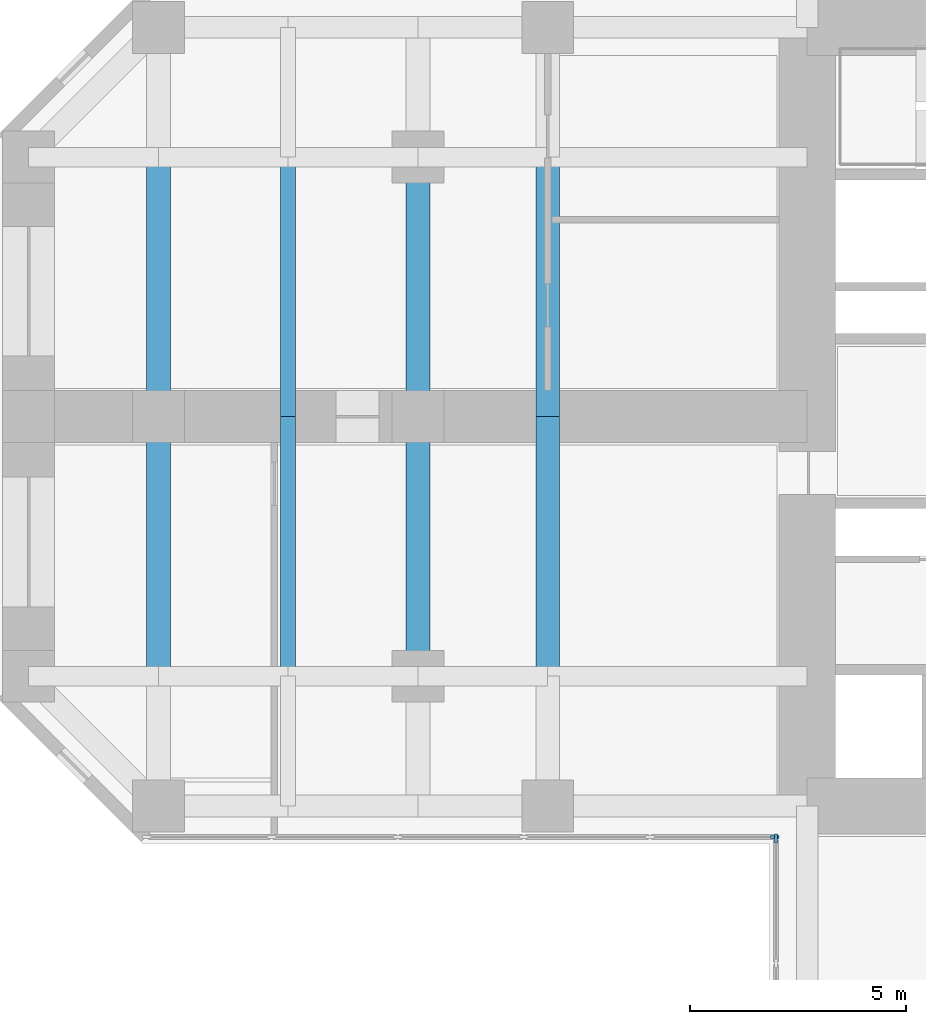
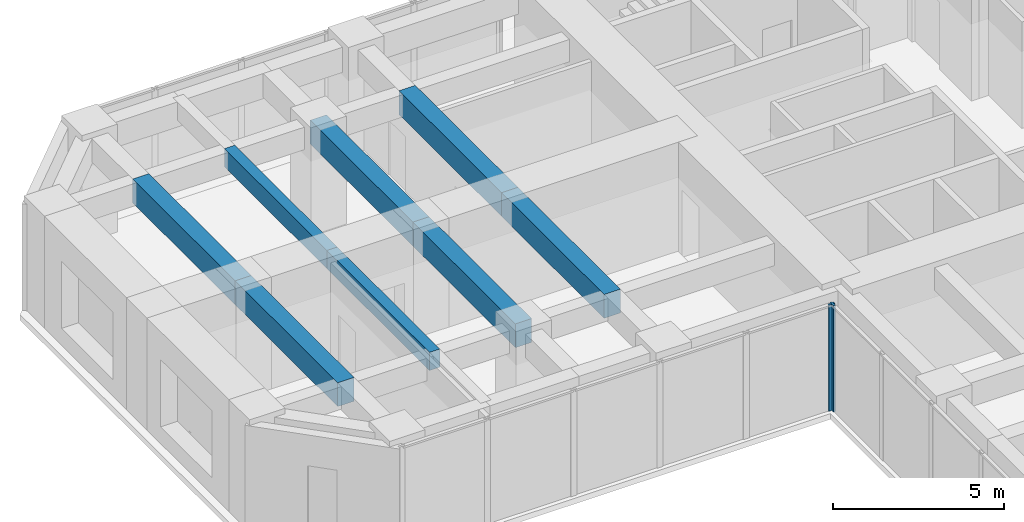
# One storey, part 3 of 12: 8 beams, 2 members, 2 elements without a shape of their own.
"""IFC4 building model written with IfcOpenShell, lengths in metres."""

import ifcopenshell
import ifcopenshell.guid

model = None  # the IFC model being written
_history = None  # IfcOwnerHistory: only IFC2X3 demands one
_inside = {}  # id of a spatial element -> (the spatial element, [elements in it])
_under = {}  # id of a project, library or spatial element -> (it, [spatial elements below it])
_declared = {}  # id of a project -> (the project, [libraries it declares])
_typed = {}  # id of a type object -> (the type object, [elements of that type])
_made_of = {}  # id of a material, layer set ... -> (it, [elements and type objects made of it])


def new_model(schema):
    """Start an empty IFC model of exactly this schema.

    Asked for "IFC4X3", IfcOpenShell would pick the latest addendum, in which some entities
    have other attributes; the version numbers below select the first issue.
    IFC2X3 requires an IfcOwnerHistory on every rooted entity: one is made here for all.
    """
    global model, _history
    if schema == "IFC4X3":
        model = ifcopenshell.file(schema_version=(4, 3, 0, 0))
    else:
        model = ifcopenshell.file(schema=schema)
    _inside.clear()
    _under.clear()
    _declared.clear()
    _typed.clear()
    _made_of.clear()
    _history = None
    if model.schema == "IFC2X3":
        org = make("IfcOrganization", Name="unknown")
        user = make(
            "IfcPersonAndOrganization",
            ThePerson=make("IfcPerson", FamilyName="unknown"),
            TheOrganization=org,
        )
        app = make(
            "IfcApplication",
            ApplicationDeveloper=org,
            Version="unknown",
            ApplicationFullName="unknown",
            ApplicationIdentifier="unknown",
        )
        _history = make(
            "IfcOwnerHistory",
            OwningUser=user,
            OwningApplication=app,
            ChangeAction="ADDED",
            CreationDate=0,
        )
    return model


def make(cls, **values):
    """One entity of the class cls with the attributes given. An attribute that is None is left unset."""
    return model.create_entity(
        cls, **{name: value for name, value in values.items() if value is not None}
    )


def rooted(cls, **values):
    """An entity with a GlobalId (a new one), such as an element, a storey or a relation."""
    return make(cls, GlobalId=ifcopenshell.guid.new(), OwnerHistory=_history, **values)


def si_unit(unit_type, name, prefix=None):
    """IfcSIUnit, for example si_unit("LENGTHUNIT", "METRE", prefix="MILLI")."""
    return make("IfcSIUnit", UnitType=unit_type, Prefix=prefix, Name=name)


def assignment(units):
    """IfcUnitAssignment: the units of a project."""
    return None if units is None else make("IfcUnitAssignment", Units=units)


def point(xyz):
    """IfcCartesianPoint."""
    return None if xyz is None else make("IfcCartesianPoint", Coordinates=xyz)


def direction(xyz):
    """IfcDirection."""
    return None if xyz is None else make("IfcDirection", DirectionRatios=xyz)


def frame(location, z_axis=None, x_axis=None):
    """IfcAxis2Placement3D, a coordinate frame: its origin and axes. An axis left out is left unset."""
    return make(
        "IfcAxis2Placement3D",
        Location=point(location),
        Axis=direction(z_axis),
        RefDirection=direction(x_axis),
    )


def frame_2d(location, x_axis=None):
    """IfcAxis2Placement2D, a coordinate frame in the plane: its origin and x axis."""
    return make(
        "IfcAxis2Placement2D", Location=point(location), RefDirection=direction(x_axis)
    )


def origin():
    """The frame at (0, 0, 0) with its axes left unset."""
    return frame((0.0, 0.0, 0.0))


def origin_2d():
    """The frame at (0, 0) in the plane with its x axis left unset."""
    return frame_2d((0.0, 0.0))


def place(relative_to, where):
    """IfcLocalPlacement: puts the frame where relative to a parent placement (None: the world)."""
    return make(
        "IfcLocalPlacement", PlacementRelTo=relative_to, RelativePlacement=where
    )


def context(
    kind, dimensions, precision=None, world=None, true_north=None, identifier=None
):
    """IfcGeometricRepresentationContext, for example the 3D "Model" context."""
    return make(
        "IfcGeometricRepresentationContext",
        ContextIdentifier=identifier,
        ContextType=kind,
        CoordinateSpaceDimension=dimensions,
        Precision=precision,
        WorldCoordinateSystem=world,
        TrueNorth=true_north,
    )


def subcontext(parent, identifier, kind, view, scale=None):
    """IfcGeometricRepresentationSubContext, for example "Body" below "Model"."""
    return make(
        "IfcGeometricRepresentationSubContext",
        ContextIdentifier=identifier,
        ContextType=kind,
        ParentContext=parent,
        TargetScale=scale,
        TargetView=view,
    )


def project(units=None, contexts=None):
    """IfcProject with its units and contexts."""
    return rooted(
        "IfcProject",
        Name="project",
        RepresentationContexts=contexts,
        UnitsInContext=assignment(units),
    )


def spatial(cls, under=None, at=None, **own):
    """A site, building, storey or space (cls), placed at a placement, below another one or the project."""
    s = rooted(cls, ObjectPlacement=at, **own)
    if under is not None:
        _under.setdefault(under.id(), (under, []))[1].append(s)
    return s


def profile(cls, at=None, kind="AREA", **sizes):
    """A parametric profile (cls). Its sizes go by their IFC names, for example OverallWidth=200.0."""
    return make(cls, ProfileType=kind, Position=at, **sizes)


def rectangle(**sizes):
    """IfcRectangleProfileDef."""
    return profile("IfcRectangleProfileDef", **sizes)


def extrude(swept, where, along, depth):
    """IfcExtrudedAreaSolid: the profile swept, set in the frame where, extruded along a direction by depth."""
    return make(
        "IfcExtrudedAreaSolid",
        SweptArea=swept,
        Position=where,
        ExtrudedDirection=direction(along),
        Depth=depth,
    )


def shape(context_of_items, identifier, shape_type, items):
    """IfcShapeRepresentation: the items that make up one representation, for example the "Body"."""
    return make(
        "IfcShapeRepresentation",
        ContextOfItems=context_of_items,
        RepresentationIdentifier=identifier,
        RepresentationType=shape_type,
        Items=items,
    )


def material(Name=None, Category=None):
    """IfcMaterial."""
    return make("IfcMaterial", Name=Name, Category=Category)


def material_profile(
    of_material, cross_section, Name=None, Category=None, Priority=None
):
    """IfcMaterialProfile: a cross section and its material."""
    return make(
        "IfcMaterialProfile",
        Name=Name,
        Material=of_material,
        Profile=cross_section,
        Priority=Priority,
        Category=Category,
    )


def profile_set(profiles, Name=None, composite=None):
    """IfcMaterialProfileSet."""
    return make(
        "IfcMaterialProfileSet",
        Name=Name,
        MaterialProfiles=profiles,
        CompositeProfile=composite,
    )


def made_of(thing, what):
    """Note that an element or type object is made of a material, layer set ...; save() writes the relation."""
    if what is not None:
        _made_of.setdefault(what.id(), (what, []))[1].append(thing)
    return thing


def type_object(cls, material=None, **own):
    """A type object (cls), such as IfcWallType, which elements share."""
    return made_of(rooted(cls, **own), material)


def element(
    cls,
    number,
    at=None,
    inside=None,
    cuts=None,
    type_object=None,
    material=None,
    context=None,
    identifier="Body",
    shape_type=None,
    held_by="IfcProductDefinitionShape",
    body=None,
    shapes=None,
    **own,
):
    """One element of the class cls, such as IfcWall. Its Tag is "e" and its number.

    at: its placement. inside: the storey or other place that contains it. cuts: it is an
    opening in that element (IfcRelVoidsElement). A single representation is given by context,
    identifier, shape_type and body (its items); several are given by shapes. held_by: the class
    of the entity that holds the representations. save() writes the other relations.
    """
    e = rooted(cls, Tag="e%d" % number, ObjectPlacement=at, **own)
    if body is not None:
        shapes = [shape(context, identifier, shape_type, body)]
    if shapes is not None:
        e.Representation = make(held_by, Representations=shapes)
    if inside is not None:
        _inside.setdefault(inside.id(), (inside, []))[1].append(e)
    if cuts is not None:
        rooted(
            "IfcRelVoidsElement", RelatingBuildingElement=cuts, RelatedOpeningElement=e
        )
    if type_object is not None:
        _typed.setdefault(type_object.id(), (type_object, []))[1].append(e)
    return made_of(e, material)


def aggregate(whole, parts):
    """IfcRelAggregates: a whole, such as a stair, and the parts it consists of."""
    return rooted("IfcRelAggregates", RelatingObject=whole, RelatedObjects=parts)


def save(model, path):
    """Write the relations noted so far, then the file.

    IfcRelAggregates (storeys below a building ...), IfcRelContainedInSpatialStructure (elements
    in a storey), IfcRelDefinesByType, IfcRelAssociatesMaterial and IfcRelDeclares: one each for
    every whole, place, type object, material and project.
    """
    for whole, parts in _under.values():
        aggregate(whole, parts)
    for where, things in _inside.values():
        rooted(
            "IfcRelContainedInSpatialStructure",
            RelatedElements=things,
            RelatingStructure=where,
        )
    for kind, things in _typed.values():
        rooted("IfcRelDefinesByType", RelatedObjects=things, RelatingType=kind)
    for what, things in _made_of.values():
        rooted("IfcRelAssociatesMaterial", RelatedObjects=things, RelatingMaterial=what)
    for by, libraries in _declared.values():
        rooted("IfcRelDeclares", RelatingContext=by, RelatedDefinitions=libraries)
    model.write(path)


model = new_model("IFC4")

# Units and contexts
model_context = context("Model", 3, precision=1e-05, world=origin(), true_north=direction((0.0, 1.0)))
body_context = subcontext(model_context, "Body", "Model", "MODEL_VIEW")
ifc_project = project(units=[si_unit("LENGTHUNIT", "METRE"), si_unit("AREAUNIT", "SQUARE_METRE"), si_unit("VOLUMEUNIT", "CUBIC_METRE"), si_unit("PLANEANGLEUNIT", "RADIAN"), si_unit("MASSUNIT", "GRAM", prefix="KILO")], contexts=[model_context])

# Site, building, storey
site_placement = place(None, origin())
site = spatial("IfcSite", under=ifc_project, at=site_placement, CompositionType="ELEMENT")
building_placement = place(site_placement, origin())
building = spatial("IfcBuilding", under=site, at=building_placement, Name="Torre Cruceta", CompositionType="ELEMENT")
storey_placement = place(building_placement, frame((0.0, 0.0, 67.5)))
storey = spatial("IfcBuildingStorey", under=building, at=storey_placement, Name="L16", CompositionType="ELEMENT", Elevation=67.5)

# Beams
ifc_material_1 = material(Name="Concrete G60 (fck 60 MPa)", Category="concrete")
ifc_material_profile_1 = material_profile(ifc_material_1, rectangle(XDim=0.550048828125, YDim=0.85009765625, at=origin_2d()), Name="RC 550X850")
ifc_profile_set_1 = profile_set([ifc_material_profile_1], Name="Concrete G60 (fck 60 MPa)")
beam_type_1 = type_object("IfcBeamType", Name="CROSS BEAM RC 550X850", PredefinedType="BEAM", material=ifc_profile_set_1)
for number, where, z_axis, x_axis, name in (
    (1, (-15.0, 6.0, 3.375), (0.0, -1.0, 0.0), (1.0, 0.0, 0.0), "GB4 L16 W cross15 2"),
    (2, (-15.0, 0.0, 3.375), (0.0, -1.0, 0.0), (1.0, 0.0, 0.0), "GB4 L16 W cross15 3"),
    (3, (-18.0, 6.0, 3.375), (0.0, -1.0, 0.0), (1.0, 0.0, 0.0), "GB4 L16 W cross18 2"),
    (4, (-18.0, 0.0, 3.375), (0.0, -1.0, 0.0), (1.0, 0.0, 0.0), "GB4 L16 W cross18 3"),
    (5, (-24.0, 6.0, 3.375), (0.0, -1.0, 0.0), (1.0, 0.0, 0.0), "GB4 L16 W cross24 2"),
    (6, (-24.0, 0.0, 3.375), (0.0, -1.0, 0.0), (1.0, 0.0, 0.0), "GB4 L16 W cross24 3"),
):
    element("IfcBeam", number, at=place(storey_placement, frame(where, z_axis=z_axis, x_axis=x_axis)), inside=storey, type_object=beam_type_1, Name=name, PredefinedType="BEAM", context=body_context, shape_type="SweptSolid", body=[
        extrude(rectangle(XDim=0.550048828125, YDim=0.85009765625, at=origin_2d()), origin(), (0.0, 0.0, 1.0), 6.0),
    ])

# Curtain wall, member
ifc_material_2 = material(Name="Aluminium unitised curtain wall", Category="aluminium")
curtain_wall_type = type_object("IfcCurtainWallType", Name="CURTAIN WALL CW-A OFFICE LOW RISE", PredefinedType="USERDEFINED", material=ifc_material_2)
curtain_wall_1_placement = place(storey_placement, origin())
curtain_wall_1 = element("IfcCurtainWall", 7, at=curtain_wall_1_placement, inside=storey, type_object=curtain_wall_type, Name="CW-A L16 W side 14", ObjectType="UNITISED", PredefinedType="USERDEFINED")
ifc_material_3 = material(Name="Aluminium mullion", Category="aluminium")
ifc_material_profile_2 = material_profile(ifc_material_3, rectangle(XDim=0.06494140625, YDim=0.199951171875, at=origin_2d()), Name="AL 65X200")
ifc_profile_set_2 = profile_set([ifc_material_profile_2], Name="Aluminium mullion")
member_type = type_object("IfcMemberType", Name="CW-A MULLION 65X200", PredefinedType="MULLION", material=ifc_profile_set_2)
member_1_placement = place(storey_placement, frame((-9.75244140625, -9.719970703125, 0.0), z_axis=(0.0, 0.0, 1.0), x_axis=(0.0, 1.0, 0.0)))
member_1 = element("IfcMember", 8, at=member_1_placement, type_object=member_type, Name="CW-A mullion 6", PredefinedType="MULLION", context=body_context, shape_type="SweptSolid", body=[
    extrude(rectangle(XDim=0.06494140625, YDim=0.199951171875, at=origin_2d()), origin(), (0.0, 0.0, 1.0), 3.800048828125),
])
aggregate(curtain_wall_1, [member_1])

curtain_wall_2_placement = place(storey_placement, origin())
curtain_wall_2 = element("IfcCurtainWall", 9, at=curtain_wall_2_placement, inside=storey, type_object=curtain_wall_type, Name="CW-A L16 S side 15", ObjectType="UNITISED", PredefinedType="USERDEFINED")
member_2_placement = place(storey_placement, frame((-9.719970703125, -9.75244140625, 0.0), z_axis=(0.0, 0.0, 1.0), x_axis=(1.0, 0.0, 0.0)))
member_2 = element("IfcMember", 10, at=member_2_placement, type_object=member_type, Name="CW-A mullion 1", PredefinedType="MULLION", context=body_context, shape_type="SweptSolid", body=[
    extrude(rectangle(XDim=0.06494140625, YDim=0.199951171875, at=origin_2d()), origin(), (0.0, 0.0, 1.0), 3.800048828125),
])
aggregate(curtain_wall_2, [member_2])

# Beams
ifc_material_4 = material(Name="Concrete G60 (fck 60 MPa)", Category="concrete")
ifc_material_profile_3 = material_profile(ifc_material_4, rectangle(XDim=0.35009765625, YDim=0.64990234375, at=origin_2d()), Name="RC 350X650")
ifc_profile_set_3 = profile_set([ifc_material_profile_3], Name="Concrete G60 (fck 60 MPa)")
beam_type_2 = type_object("IfcBeamType", Name="SECONDARY BEAM RC 350X650", PredefinedType="JOIST", material=ifc_profile_set_3)
for number, where, z_axis, x_axis, name in (
    (11, (-21.0, 6.0, 3.47509765625), (0.0, -1.0, 0.0), (1.0, 0.0, 0.0), "JB3 L16 W sec21 2"),
    (12, (-21.0, 0.0, 3.47509765625), (0.0, -1.0, 0.0), (1.0, 0.0, 0.0), "JB3 L16 W sec21 3"),
):
    element("IfcBeam", number, at=place(storey_placement, frame(where, z_axis=z_axis, x_axis=x_axis)), inside=storey, type_object=beam_type_2, Name=name, PredefinedType="JOIST", context=body_context, shape_type="SweptSolid", body=[
        extrude(rectangle(XDim=0.35009765625, YDim=0.64990234375, at=origin_2d()), origin(), (0.0, 0.0, 1.0), 6.0),
    ])

save(model, "model.ifc")
